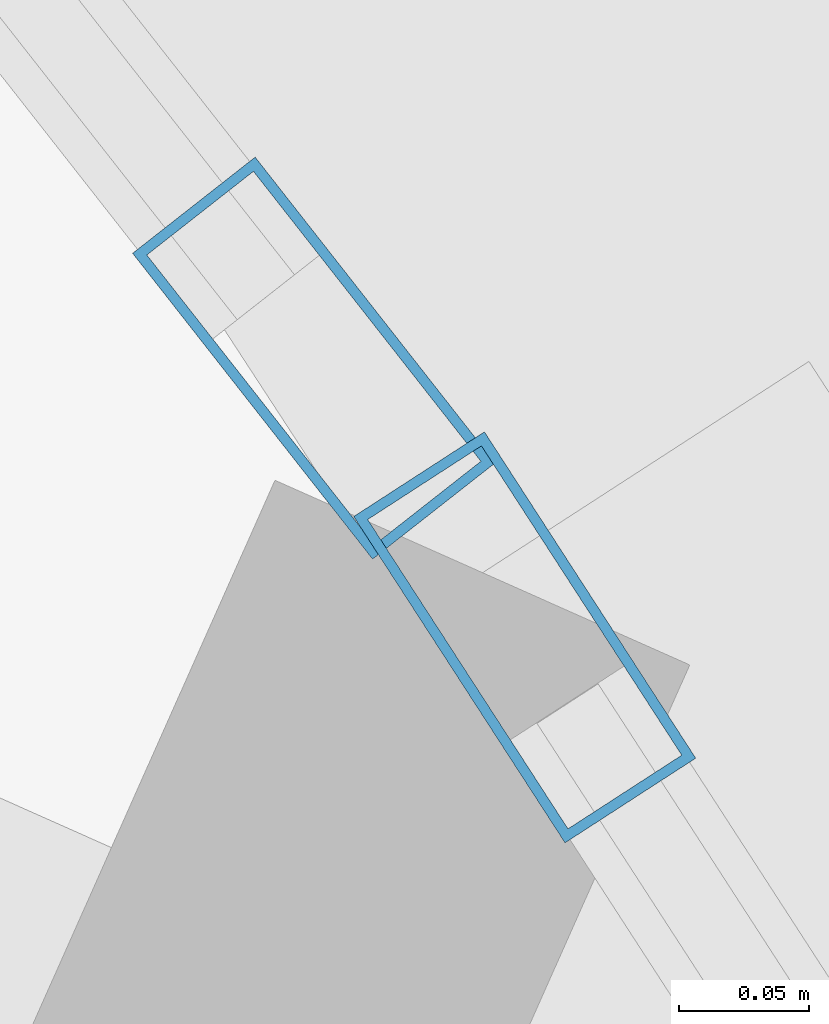
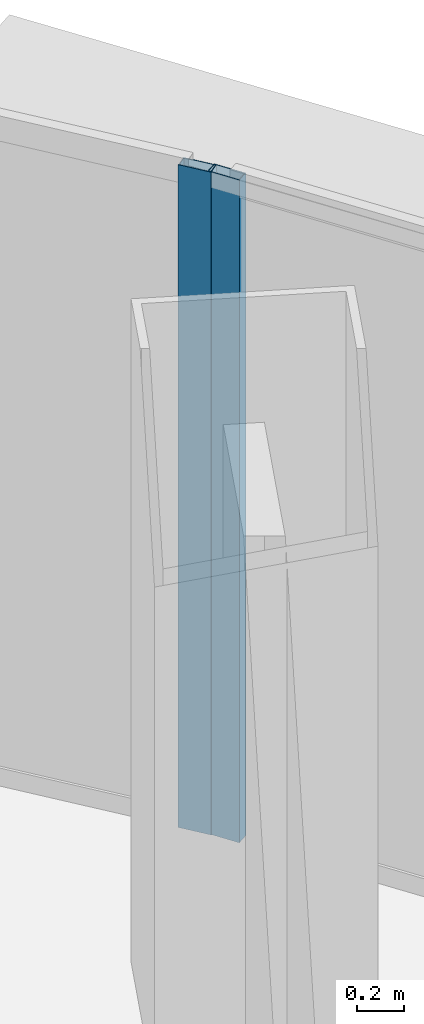
# One storey, part 22 of 42: 2 members, 2 elements without a shape of their own.
"""IFC4 building model written with IfcOpenShell, lengths in metres."""

from ifc_helpers import new_model, si_unit, direction, frame, origin, origin_2d, place, context, subcontext, project, spatial, hollow_rectangle, extrude, source, transform, mapped, material, layer, layer_set, material_profile, profile_set, type_object, element, aggregate, save


model = new_model("IFC4")

# Units and contexts
model_context = context("Model", 3, precision=1e-05, world=origin(), true_north=direction((0.0, 1.0)))
body_context = subcontext(model_context, "Body", "Model", "MODEL_VIEW")
ifc_project = project(units=[si_unit("LENGTHUNIT", "METRE"), si_unit("AREAUNIT", "SQUARE_METRE"), si_unit("VOLUMEUNIT", "CUBIC_METRE"), si_unit("PLANEANGLEUNIT", "RADIAN"), si_unit("MASSUNIT", "GRAM", prefix="KILO"), si_unit("THERMODYNAMICTEMPERATUREUNIT", "KELVIN"), si_unit("POWERUNIT", "WATT")], contexts=[model_context])

# Site, building, storey
site_placement = place(None, origin())
site = spatial("IfcSite", under=ifc_project, at=site_placement, CompositionType="ELEMENT")
building_placement = place(site_placement, origin())
building = spatial("IfcBuilding", under=site, at=building_placement, Name="Yunzhuo Pagoda Commons", CompositionType="ELEMENT")
storey_placement = place(building_placement, frame((0.0, 0.0, 151.909912109375)))
storey = spatial("IfcBuildingStorey", under=building, at=storey_placement, Name="L38", CompositionType="ELEMENT", Elevation=151.909912109375)

# Curtain wall, member
ifc_material = material(Name="Anodized aluminium 6063-T6", Category="aluminium")
ifc_layer = layer(ifc_material, 0.14990234375)
ifc_layer_set = layer_set([ifc_layer], Name="Anodized aluminium 6063-T6")
curtain_wall_type = type_object("IfcCurtainWallType", Name="CW-MID Mid-Zone Ribbon Curtain Wall", PredefinedType="NOTDEFINED", material=ifc_layer_set)
curtain_wall_1_placement = place(storey_placement, origin())
curtain_wall_1 = element("IfcCurtainWall", 1, at=curtain_wall_1_placement, inside=storey, type_object=curtain_wall_type, Name="L38 curtain wall CW-L38-F2B4", PredefinedType="NOTDEFINED")
ifc_material_profile = material_profile(ifc_material, hollow_rectangle(XDim=0.06005859375, YDim=0.14990234375, WallThickness=0.00390625, at=origin_2d()), Name="Anodized aluminium 6063-T6")
ifc_profile_set = profile_set([ifc_material_profile], Name="Anodized aluminium 6063-T6")
member_type = type_object("IfcMemberType", Name="CW-MID-M Mullion RHS 150x60x4", PredefinedType="MULLION", material=ifc_profile_set)
shared_shape = source(origin(), body_context, "Body", "SweptSolid", [
    extrude(hollow_rectangle(XDim=0.06005859375, YDim=0.14990234375, WallThickness=0.00390625, at=origin_2d()), origin(), (0.0, 0.0, 1.0), 3.420166015625),
])
member_1_placement = place(storey_placement, frame((63.9833984375, 69.53759765625, 0.0), z_axis=(0.0, 0.0, 1.0), x_axis=(-0.839392571637, -0.543525630197, 0.0)))
member_1 = element("IfcMember", 2, at=member_1_placement, type_object=member_type, Name="CW mullion 2", PredefinedType="MULLION", context=body_context, shape_type="MappedRepresentation", body=[
    mapped(shared_shape, transform((0.0, 0.0, 0.0), scale=1.0)),
])
aggregate(curtain_wall_1, [member_1])

curtain_wall_2_placement = place(storey_placement, origin())
curtain_wall_2 = element("IfcCurtainWall", 3, at=curtain_wall_2_placement, inside=storey, type_object=curtain_wall_type, Name="L38 curtain wall CW-L38-F2B5", PredefinedType="NOTDEFINED")
member_2_placement = place(storey_placement, frame((63.902099609375, 69.645263671875, 0.0), z_axis=(0.0, 0.0, 1.0), x_axis=(-0.786759259697, -0.61725996734, 0.0)))
member_2 = element("IfcMember", 4, at=member_2_placement, type_object=member_type, Name="CW mullion 1", PredefinedType="MULLION", context=body_context, shape_type="MappedRepresentation", body=[
    mapped(shared_shape, transform((0.0, 0.0, 0.0), scale=1.0)),
])
aggregate(curtain_wall_2, [member_2])

save(model, "model.ifc")
